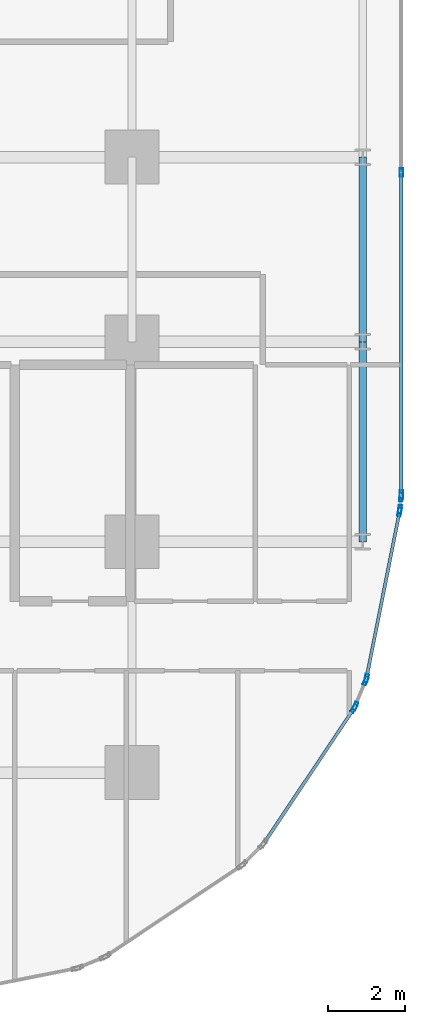
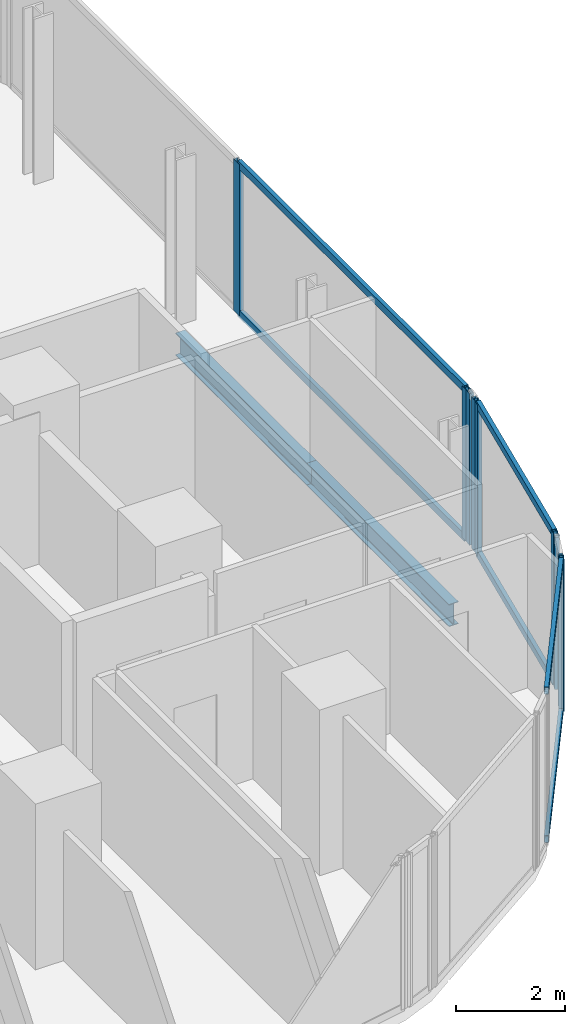
# One storey, part 18 of 33: 15 members, 2 beams, 5 elements without a shape of their own.
"""IFC4 building model written with IfcOpenShell, lengths in metres."""

from ifc_helpers import new_model, si_unit, direction, frame, origin, origin_2d, place, context, subcontext, project, spatial, hollow_rectangle, i_section, extrude, material, layer, layer_set, material_profile, profile_set, type_object, element, aggregate, save


model = new_model("IFC4")

# Units and contexts
model_context = context("Model", 3, precision=1e-05, world=origin(), true_north=direction((0.0, 1.0)))
body_context = subcontext(model_context, "Body", "Model", "MODEL_VIEW")
ifc_project = project(units=[si_unit("LENGTHUNIT", "METRE"), si_unit("AREAUNIT", "SQUARE_METRE"), si_unit("VOLUMEUNIT", "CUBIC_METRE"), si_unit("PLANEANGLEUNIT", "RADIAN"), si_unit("MASSUNIT", "GRAM", prefix="KILO")], contexts=[model_context])

# Site, building, storey
site_placement = place(None, origin())
site = spatial("IfcSite", under=ifc_project, at=site_placement, CompositionType="ELEMENT")
building_placement = place(site_placement, origin())
building = spatial("IfcBuilding", under=site, at=building_placement, Name="Keshet Zoharim Tower", CompositionType="ELEMENT")
storey_placement = place(building_placement, frame((0.0, 0.0, 35.10009765625)))
storey = spatial("IfcBuildingStorey", under=building, at=storey_placement, Name="L07", CompositionType="ELEMENT", Elevation=35.10009765625)

# Beams
ifc_material_1 = material(Name="Steel S355", Category="steel")
ifc_material_profile_1 = material_profile(ifc_material_1, i_section(OverallWidth=0.199951171875, OverallDepth=0.5, WebThickness=0.01025390625, FlangeThickness=0.01611328125, FilletRadius=0.02099609375, at=origin_2d()), Name="IPE500")
ifc_profile_set_1 = profile_set([ifc_material_profile_1], Name="Steel S355")
beam_type = type_object("IfcBeamType", Name="BM-PRI-IP500", PredefinedType="BEAM", material=ifc_profile_set_1)
beam_1_placement = place(storey_placement, frame((69.0, 12.699951171875, -0.565185546875), z_axis=(0.0, 1.0, 0.0), x_axis=(-1.0, 0.0, 0.0)))
element("IfcBeam", 1, at=beam_1_placement, inside=storey, type_object=beam_type, Name="L07 Primary Girder Y-023", PredefinedType="BEAM", context=body_context, shape_type="SweptSolid", body=[
    extrude(i_section(OverallWidth=0.199951171875, OverallDepth=0.5, WebThickness=0.01025390625, FlangeThickness=0.01611328125, FilletRadius=0.02099609375, at=origin_2d()), origin(), (0.0, 0.0, 1.0), 5.199951171875),
])
beam_2_placement = place(storey_placement, frame((69.0, 17.89990234375, -0.565185546875), z_axis=(0.0, 1.0, 0.0), x_axis=(-1.0, 0.0, 0.0)))
element("IfcBeam", 2, at=beam_2_placement, inside=storey, type_object=beam_type, Name="L07 Primary Girder Y-024", PredefinedType="BEAM", context=body_context, shape_type="SweptSolid", body=[
    extrude(i_section(OverallWidth=0.199951171875, OverallDepth=0.5, WebThickness=0.01025390625, FlangeThickness=0.01611328125, FilletRadius=0.02099609375, at=origin_2d()), origin(), (0.0, 0.0, 1.0), 4.800048828125),
])

# Curtain wall, members
ifc_material_2 = material(Name="Aluminium 6063-T6", Category="aluminium")
ifc_layer_1 = layer(ifc_material_2, 0.169921875)
ifc_layer_set_1 = layer_set([ifc_layer_1], Name="Aluminium 6063-T6")
curtain_wall_type_1 = type_object("IfcCurtainWallType", Name="CW-SYS-02", PredefinedType="NOTDEFINED", material=ifc_layer_set_1)
curtain_wall_1_placement = place(storey_placement, origin())
curtain_wall_1 = element("IfcCurtainWall", 3, at=curtain_wall_1_placement, inside=storey, type_object=curtain_wall_type_1, Name="L07 Unitised Curtain Wall 16", PredefinedType="NOTDEFINED")
ifc_material_profile_2 = material_profile(ifc_material_2, hollow_rectangle(XDim=0.090087890625, YDim=0.219970703125, WallThickness=0.0048828125, at=origin_2d()), Name="MUL-90x220")
ifc_profile_set_2 = profile_set([ifc_material_profile_2], Name="Aluminium 6063-T6")
member_type_1 = type_object("IfcMemberType", Name="CWM-M22", PredefinedType="MULLION", material=ifc_profile_set_2)
member_1_placement = place(storey_placement, frame((70.0, 22.298583984375, 0.0), z_axis=(0.0, 0.0, 1.0), x_axis=(1.0, 0.0, 0.0)))
member_1 = element("IfcMember", 4, at=member_1_placement, type_object=member_type_1, Name="CW-02 mullion 2", PredefinedType="MULLION", context=body_context, shape_type="SweptSolid", body=[
    extrude(hollow_rectangle(XDim=0.090087890625, YDim=0.219970703125, WallThickness=0.0048828125, at=origin_2d()), origin(), (0.0, 0.0, 1.0), 3.385009765625),
])
member_2_placement = place(storey_placement, frame((70.0, 13.931884765625, 0.0), z_axis=(0.0, 0.0, 1.0), x_axis=(1.0, 0.0, 0.0)))
member_2 = element("IfcMember", 5, at=member_2_placement, type_object=member_type_1, Name="CW-02 mullion 3", PredefinedType="MULLION", context=body_context, shape_type="SweptSolid", body=[
    extrude(hollow_rectangle(XDim=0.090087890625, YDim=0.219970703125, WallThickness=0.0048828125, at=origin_2d()), origin(), (0.0, 0.0, 1.0), 3.385009765625),
])

curtain_wall_2_placement = place(storey_placement, origin())
curtain_wall_2 = element("IfcCurtainWall", 6, at=curtain_wall_2_placement, inside=storey, type_object=curtain_wall_type_1, Name="L07 Unitised Curtain Wall 17", PredefinedType="NOTDEFINED")
member_3_placement = place(storey_placement, frame((69.99658203125, 13.862060546875, 0.0), z_axis=(0.0, 0.0, 1.0), x_axis=(0.995286657009, -0.096976648633, 0.0)))
member_3 = element("IfcMember", 7, at=member_3_placement, type_object=member_type_1, Name="CW-02 mullion 1", PredefinedType="MULLION", context=body_context, shape_type="SweptSolid", body=[
    extrude(hollow_rectangle(XDim=0.090087890625, YDim=0.219970703125, WallThickness=0.0048828125, at=origin_2d()), origin(), (0.0, 0.0, 1.0), 3.385009765625),
])
member_4_placement = place(storey_placement, frame((69.96533203125, 13.541748046875, 0.0), z_axis=(0.0, 0.0, 1.0), x_axis=(0.995286657009, -0.096976648633, 0.0)))
member_4 = element("IfcMember", 8, at=member_4_placement, type_object=member_type_1, Name="CW-02 mullion 2", PredefinedType="MULLION", context=body_context, shape_type="SweptSolid", body=[
    extrude(hollow_rectangle(XDim=0.090087890625, YDim=0.219970703125, WallThickness=0.0048828125, at=origin_2d()), origin(), (0.0, 0.0, 1.0), 3.385009765625),
])
aggregate(curtain_wall_2, [member_3, member_4])

curtain_wall_3_placement = place(storey_placement, origin())
curtain_wall_3 = element("IfcCurtainWall", 9, at=curtain_wall_3_placement, inside=storey, type_object=curtain_wall_type_1, Name="L07 Unitised Curtain Wall 18", PredefinedType="NOTDEFINED")
member_5_placement = place(storey_placement, frame((69.955078125, 13.47265625, 0.0), z_axis=(0.0, 0.0, 1.0), x_axis=(0.98076917357, -0.195171279072, 0.0)))
member_5 = element("IfcMember", 10, at=member_5_placement, type_object=member_type_1, Name="CW-02 mullion 1", PredefinedType="MULLION", context=body_context, shape_type="SweptSolid", body=[
    extrude(hollow_rectangle(XDim=0.090087890625, YDim=0.219970703125, WallThickness=0.0048828125, at=origin_2d()), origin(), (0.0, 0.0, 1.0), 3.385009765625),
])
member_6_placement = place(storey_placement, frame((69.0947265625, 9.1494140625, 0.0), z_axis=(0.0, 0.0, 1.0), x_axis=(0.98076917357, -0.195171279072, 0.0)))
member_6 = element("IfcMember", 11, at=member_6_placement, type_object=member_type_1, Name="CW-02 mullion 2", PredefinedType="MULLION", context=body_context, shape_type="SweptSolid", body=[
    extrude(hollow_rectangle(XDim=0.090087890625, YDim=0.219970703125, WallThickness=0.0048828125, at=origin_2d()), origin(), (0.0, 0.0, 1.0), 3.385009765625),
])

ifc_layer_2 = layer(ifc_material_2, 0.179931640625)
ifc_layer_set_2 = layer_set([ifc_layer_2], Name="Aluminium 6063-T6")
curtain_wall_type_2 = type_object("IfcCurtainWallType", Name="CW-SYS-01", PredefinedType="NOTDEFINED", material=ifc_layer_set_2)
curtain_wall_4_placement = place(storey_placement, origin())
curtain_wall_4 = element("IfcCurtainWall", 12, at=curtain_wall_4_placement, inside=storey, type_object=curtain_wall_type_2, Name="L07 Unitised Curtain Wall 19", PredefinedType="NOTDEFINED")
member_7_placement = place(storey_placement, frame((69.07470703125, 9.082763671875, 0.0), z_axis=(0.0, 0.0, 1.0), x_axis=(0.923720000557, -0.383068349739, 0.0)))
member_7 = element("IfcMember", 13, at=member_7_placement, type_object=member_type_1, Name="CW-01 mullion 1", PredefinedType="MULLION", context=body_context, shape_type="SweptSolid", body=[
    extrude(hollow_rectangle(XDim=0.090087890625, YDim=0.219970703125, WallThickness=0.0048828125, at=origin_2d()), origin(), (0.0, 0.0, 1.0), 3.385009765625),
])
member_8_placement = place(storey_placement, frame((68.802490234375, 8.42626953125, 0.0), z_axis=(0.0, 0.0, 1.0), x_axis=(0.923720000557, -0.383068349739, 0.0)))
member_8 = element("IfcMember", 14, at=member_8_placement, type_object=member_type_1, Name="CW-01 mullion 2", PredefinedType="MULLION", context=body_context, shape_type="SweptSolid", body=[
    extrude(hollow_rectangle(XDim=0.090087890625, YDim=0.219970703125, WallThickness=0.0048828125, at=origin_2d()), origin(), (0.0, 0.0, 1.0), 3.385009765625),
])
aggregate(curtain_wall_4, [member_7, member_8])

# Curtain wall, member
curtain_wall_5_placement = place(storey_placement, origin())
curtain_wall_5 = element("IfcCurtainWall", 15, at=curtain_wall_5_placement, inside=storey, type_object=curtain_wall_type_2, Name="L07 Unitised Curtain Wall 20", PredefinedType="NOTDEFINED")
member_9_placement = place(storey_placement, frame((68.76953125, 8.364990234375, 0.0), z_axis=(0.0, 0.0, 1.0), x_axis=(0.831474282335, -0.555563243758, 0.0)))
member_9 = element("IfcMember", 16, at=member_9_placement, type_object=member_type_1, Name="CW-01 mullion 1", PredefinedType="MULLION", context=body_context, shape_type="SweptSolid", body=[
    extrude(hollow_rectangle(XDim=0.090087890625, YDim=0.219970703125, WallThickness=0.0048828125, at=origin_2d()), origin(), (0.0, 0.0, 1.0), 3.385009765625),
])

# Member
ifc_material_profile_3 = material_profile(ifc_material_2, hollow_rectangle(XDim=0.0849609375, YDim=0.159912109375, WallThickness=0.00439453125, at=origin_2d()), Name="TRN-85x160")
ifc_profile_set_3 = profile_set([ifc_material_profile_3], Name="Aluminium 6063-T6")
member_type_2 = type_object("IfcMemberType", Name="CWT-T16", PredefinedType="USERDEFINED", material=ifc_profile_set_3)
member_10_placement = place(storey_placement, frame((70.0, 22.263427734375, 0.034912109375), z_axis=(0.0, -1.0, 0.0), x_axis=(1.0, 0.0, 0.0)))
member_10 = element("IfcMember", 17, at=member_10_placement, type_object=member_type_2, Name="CW-02 transom 2.1", ObjectType="TRANSOM", PredefinedType="USERDEFINED", context=body_context, shape_type="SweptSolid", body=[
    extrude(hollow_rectangle(XDim=0.0849609375, YDim=0.159912109375, WallThickness=0.00439453125, at=origin_2d()), origin(), (0.0, 0.0, 1.0), 8.29638671875),
])

member_11_placement = place(storey_placement, frame((70.0, 22.263427734375, 3.349853515625), z_axis=(0.0, -1.0, 0.0), x_axis=(1.0, 0.0, 0.0)))
member_11 = element("IfcMember", 18, at=member_11_placement, type_object=member_type_2, Name="CW-02 transom 2.2", ObjectType="TRANSOM", PredefinedType="USERDEFINED", context=body_context, shape_type="SweptSolid", body=[
    extrude(hollow_rectangle(XDim=0.0849609375, YDim=0.159912109375, WallThickness=0.00439453125, at=origin_2d()), origin(), (0.0, 0.0, 1.0), 8.29638671875),
])

aggregate(curtain_wall_1, [member_1, member_2, member_10, member_11])

member_12_placement = place(storey_placement, frame((69.9482421875, 13.438232421875, 0.034912109375), z_axis=(-0.195174459131, -0.980768540739, 0.0), x_axis=(0.980768540739, -0.195174459131, 0.0)))
member_12 = element("IfcMember", 19, at=member_12_placement, type_object=member_type_2, Name="CW-02 transom 1.1", ObjectType="TRANSOM", PredefinedType="USERDEFINED", context=body_context, shape_type="SweptSolid", body=[
    extrude(hollow_rectangle(XDim=0.0849609375, YDim=0.159912109375, WallThickness=0.00439453125, at=origin_2d()), origin(), (0.0, 0.0, 1.0), 4.338134765625),
])

member_13_placement = place(storey_placement, frame((69.9482421875, 13.438232421875, 3.349853515625), z_axis=(-0.195174459131, -0.980768540739, 0.0), x_axis=(0.980768540739, -0.195174459131, 0.0)))
member_13 = element("IfcMember", 20, at=member_13_placement, type_object=member_type_2, Name="CW-02 transom 1.2", ObjectType="TRANSOM", PredefinedType="USERDEFINED", context=body_context, shape_type="SweptSolid", body=[
    extrude(hollow_rectangle(XDim=0.0849609375, YDim=0.159912109375, WallThickness=0.00439453125, at=origin_2d()), origin(), (0.0, 0.0, 1.0), 4.338134765625),
])

aggregate(curtain_wall_3, [member_5, member_6, member_12, member_13])

member_14_placement = place(storey_placement, frame((68.75, 8.335693359375, 0.034912109375), z_axis=(-0.55555796544, -0.831477809106, 0.0), x_axis=(0.831477809106, -0.55555796544, 0.0)))
member_14 = element("IfcMember", 21, at=member_14_placement, type_object=member_type_2, Name="CW-01 transom 1.1", ObjectType="TRANSOM", PredefinedType="USERDEFINED", context=body_context, shape_type="SweptSolid", body=[
    extrude(hollow_rectangle(XDim=0.0849609375, YDim=0.159912109375, WallThickness=0.00439453125, at=origin_2d()), origin(), (0.0, 0.0, 1.0), 4.136474609375),
])

member_15_placement = place(storey_placement, frame((68.75, 8.335693359375, 3.349853515625), z_axis=(-0.55555796544, -0.831477809106, 0.0), x_axis=(0.831477809106, -0.55555796544, 0.0)))
member_15 = element("IfcMember", 22, at=member_15_placement, type_object=member_type_2, Name="CW-01 transom 1.2", ObjectType="TRANSOM", PredefinedType="USERDEFINED", context=body_context, shape_type="SweptSolid", body=[
    extrude(hollow_rectangle(XDim=0.0849609375, YDim=0.159912109375, WallThickness=0.00439453125, at=origin_2d()), origin(), (0.0, 0.0, 1.0), 4.136474609375),
])

aggregate(curtain_wall_5, [member_9, member_14, member_15])

save(model, "model.ifc")
